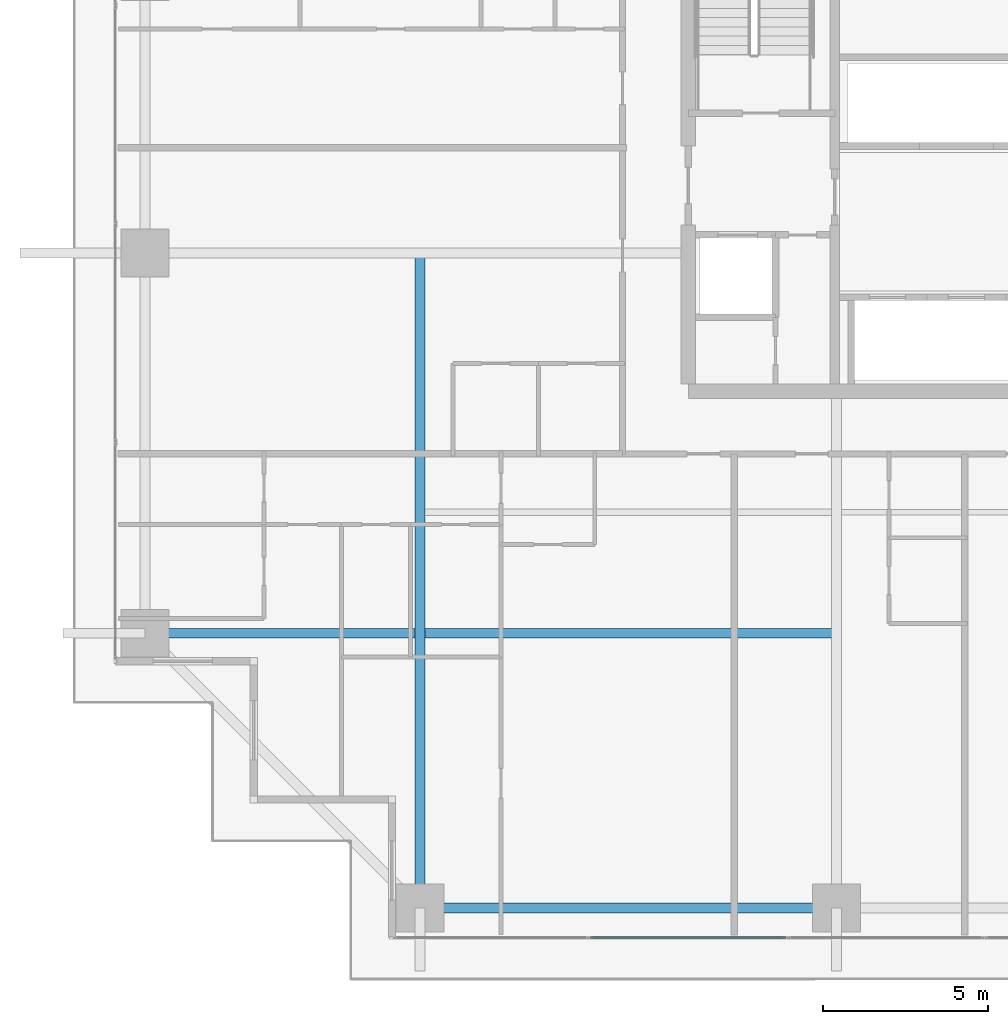
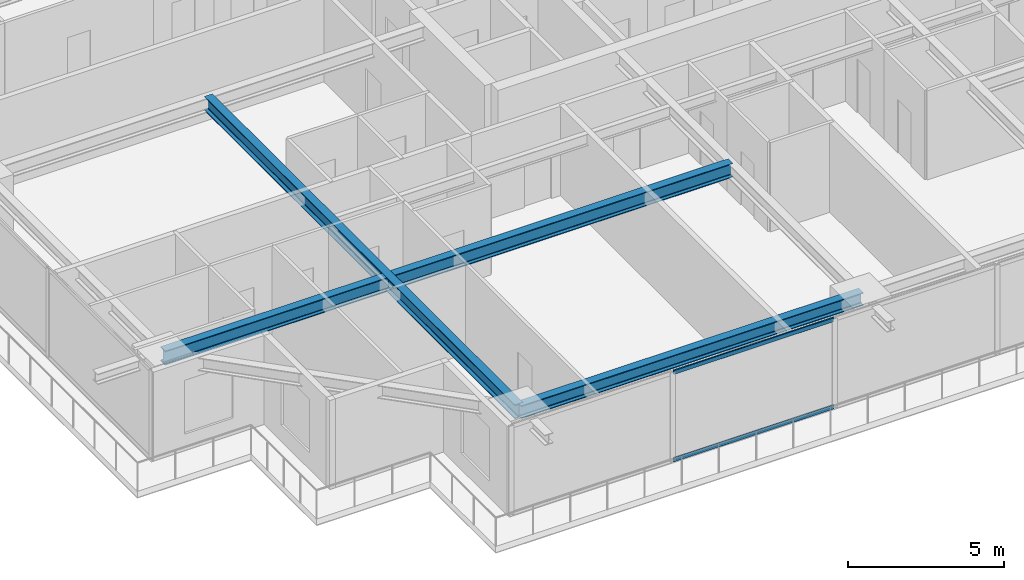
# One storey, part 4 of 38: 3 beams, 2 members, 1 element without a shape of its own.
"""IFC4 building model written with IfcOpenShell, lengths in metres."""

from ifc_helpers import new_model, si_unit, direction, frame, origin, origin_2d, place, context, subcontext, project, spatial, hollow_rectangle, i_section, extrude, source, transform, mapped, material, layer, layer_set, material_profile, profile_set, type_object, element, aggregate, save


model = new_model("IFC4")

# Units and contexts
model_context = context("Model", 3, precision=1e-05, world=origin(), true_north=direction((0.0, 1.0)))
body_context = subcontext(model_context, "Body", "Model", "MODEL_VIEW")
ifc_project = project(units=[si_unit("LENGTHUNIT", "METRE"), si_unit("AREAUNIT", "SQUARE_METRE"), si_unit("VOLUMEUNIT", "CUBIC_METRE"), si_unit("PLANEANGLEUNIT", "RADIAN"), si_unit("MASSUNIT", "GRAM", prefix="KILO")], contexts=[model_context])

# Site, building, storey
site_placement = place(None, origin())
site = spatial("IfcSite", under=ifc_project, at=site_placement, CompositionType="ELEMENT")
building_placement = place(site_placement, origin())
building = spatial("IfcBuilding", under=site, at=building_placement, Name="Serunith Strait Residences", CompositionType="ELEMENT")
storey_placement = place(building_placement, frame((0.0, 0.0, 67.949951171875)))
storey = spatial("IfcBuildingStorey", under=building, at=storey_placement, Name="L16", CompositionType="ELEMENT", Elevation=67.949951171875)

# Beams
ifc_material_1 = material(Name="Steel S355J2", Category="steel")
ifc_material_profile_1 = material_profile(ifc_material_1, i_section(OverallWidth=0.300048828125, OverallDepth=0.550048828125, WebThickness=0.014892578125, FlangeThickness=0.029052734375, FilletRadius=0.027099609375, at=origin_2d()), Name="HEB 550")
ifc_profile_set_1 = profile_set([ifc_material_profile_1], Name="Steel S355J2")
beam_type_1 = type_object("IfcBeamType", Name="BM-HEB550", PredefinedType="BEAM", material=ifc_profile_set_1)
shared_shape_1 = source(origin(), body_context, "Body", "SweptSolid", [
    extrude(i_section(OverallWidth=0.300048828125, OverallDepth=0.550048828125, WebThickness=0.014892578125, FlangeThickness=0.029052734375, FilletRadius=0.027099609375, at=origin_2d()), origin(), (0.0, 0.0, 1.0), 19.89990234375),
])
beam_1_placement = place(storey_placement, frame((15.25, 21.0, 3.212158203125), z_axis=(0.0, -1.0, 0.0), x_axis=(1.0, 0.0, 0.0)))
element("IfcBeam", 1, at=beam_1_placement, inside=storey, type_object=beam_type_1, Name="L16 Orthogonal Corner Girder TC-S1", PredefinedType="BEAM", context=body_context, shape_type="MappedRepresentation", body=[
    mapped(shared_shape_1, transform((0.0, 0.0, 0.0), scale=1.0)),
])
shared_shape_2 = source(origin(), body_context, "Body", "SweptSolid", [
    extrude(i_section(OverallWidth=0.300048828125, OverallDepth=0.550048828125, WebThickness=0.014892578125, FlangeThickness=0.029052734375, FilletRadius=0.027099609375, at=origin_2d()), origin(), (0.0, 0.0, 1.0), 21.0),
])
beam_2_placement = place(storey_placement, frame((27.89990234375, 9.449951171875, 3.212158203125), z_axis=(-1.0, 0.0, 0.0), x_axis=(0.0, -1.0, 0.0)))
element("IfcBeam", 2, at=beam_2_placement, inside=storey, type_object=beam_type_1, Name="L16 Orthogonal Corner Girder TC-W1", PredefinedType="BEAM", context=body_context, shape_type="MappedRepresentation", body=[
    mapped(shared_shape_2, transform((0.0, 0.0, 0.0), scale=1.0)),
])
ifc_material_profile_2 = material_profile(ifc_material_1, i_section(OverallWidth=0.300048828125, OverallDepth=0.5, WebThickness=0.014404296875, FlangeThickness=0.028076171875, FilletRadius=0.027099609375, at=origin_2d()), Name="HEB 500")
ifc_profile_set_2 = profile_set([ifc_material_profile_2], Name="Steel S355J2")
beam_type_2 = type_object("IfcBeamType", Name="BM-HEB500", PredefinedType="BEAM", material=ifc_profile_set_2)
shared_shape_3 = source(origin(), body_context, "Body", "SweptSolid", [
    extrude(i_section(OverallWidth=0.300048828125, OverallDepth=0.5, WebThickness=0.014404296875, FlangeThickness=0.028076171875, FilletRadius=0.027099609375, at=origin_2d()), origin(), (0.0, 0.0, 1.0), 12.64990234375),
])
beam_3_placement = place(storey_placement, frame((15.25, 1.10009765625, 3.237060546875), z_axis=(1.0, 0.0, 0.0), x_axis=(0.0, 1.0, 0.0)))
element("IfcBeam", 3, at=beam_3_placement, inside=storey, type_object=beam_type_2, Name="L16 Perimeter Ring Beam 01", PredefinedType="BEAM", context=body_context, shape_type="MappedRepresentation", body=[
    mapped(shared_shape_3, transform((0.0, 0.0, 0.0), scale=1.0)),
])

# Curtain wall, members
ifc_material_2 = material(Name="Pale-Champagne Anodised Aluminium", Category="aluminium")
ifc_layer = layer(ifc_material_2, 0.199951171875, Name="Pale-Champagne Anodised Aluminium")
ifc_layer_set = layer_set([ifc_layer], Name="Pale-Champagne Anodised Aluminium")
curtain_wall_type = type_object("IfcCurtainWallType", Name="CW-SYS1", PredefinedType="NOTDEFINED", material=ifc_layer_set)
curtain_wall_placement = place(storey_placement, origin())
curtain_wall = element("IfcCurtainWall", 4, at=curtain_wall_placement, inside=storey, type_object=curtain_wall_type, Name="L16 S Unitised Fritted Curtain Wall", PredefinedType="NOTDEFINED")
ifc_material_profile_3 = material_profile(ifc_material_2, hollow_rectangle(XDim=0.06005859375, YDim=0.159912109375, WallThickness=0.00341796875, InnerFilletRadius=0.00537109375, OuterFilletRadius=0.0087890625, at=origin_2d()), Name="ALU 160x60x3.5")
ifc_profile_set_3 = profile_set([ifc_material_profile_3], Name="Pale-Champagne Anodised Aluminium")
member_type = type_object("IfcMemberType", Name="CW-SYS1-TRAN", PredefinedType="USERDEFINED", material=ifc_profile_set_3)
shared_shape_4 = source(origin(), body_context, "Body", "SweptSolid", [
    extrude(hollow_rectangle(XDim=0.06005859375, YDim=0.159912109375, WallThickness=0.00341796875, InnerFilletRadius=0.00537109375, OuterFilletRadius=0.0087890625, at=origin_2d()), origin(), (0.0, 0.0, 1.0), 5.929931640625),
])
member_1_placement = place(storey_placement, frame((20.43505859375, 0.199951171875, 0.030029296875), z_axis=(1.0, 0.0, 0.0), x_axis=(0.0, 1.0, 0.0)))
member_1 = element("IfcMember", 5, at=member_1_placement, type_object=member_type, Name="CW-1 transom 2.1", ObjectType="TRANSOM", PredefinedType="USERDEFINED", context=body_context, shape_type="MappedRepresentation", body=[
    mapped(shared_shape_4, transform((0.0, 0.0, 0.0), scale=1.0)),
])
member_2_placement = place(storey_placement, frame((20.43505859375, 0.199951171875, 3.445068359375), z_axis=(1.0, 0.0, 0.0), x_axis=(0.0, 1.0, 0.0)))
member_2 = element("IfcMember", 6, at=member_2_placement, type_object=member_type, Name="CW-1 transom 2.2", ObjectType="TRANSOM", PredefinedType="USERDEFINED", context=body_context, shape_type="MappedRepresentation", body=[
    mapped(shared_shape_4, transform((0.0, 0.0, 0.0), scale=1.0)),
])
aggregate(curtain_wall, [member_1, member_2])

save(model, "model.ifc")
